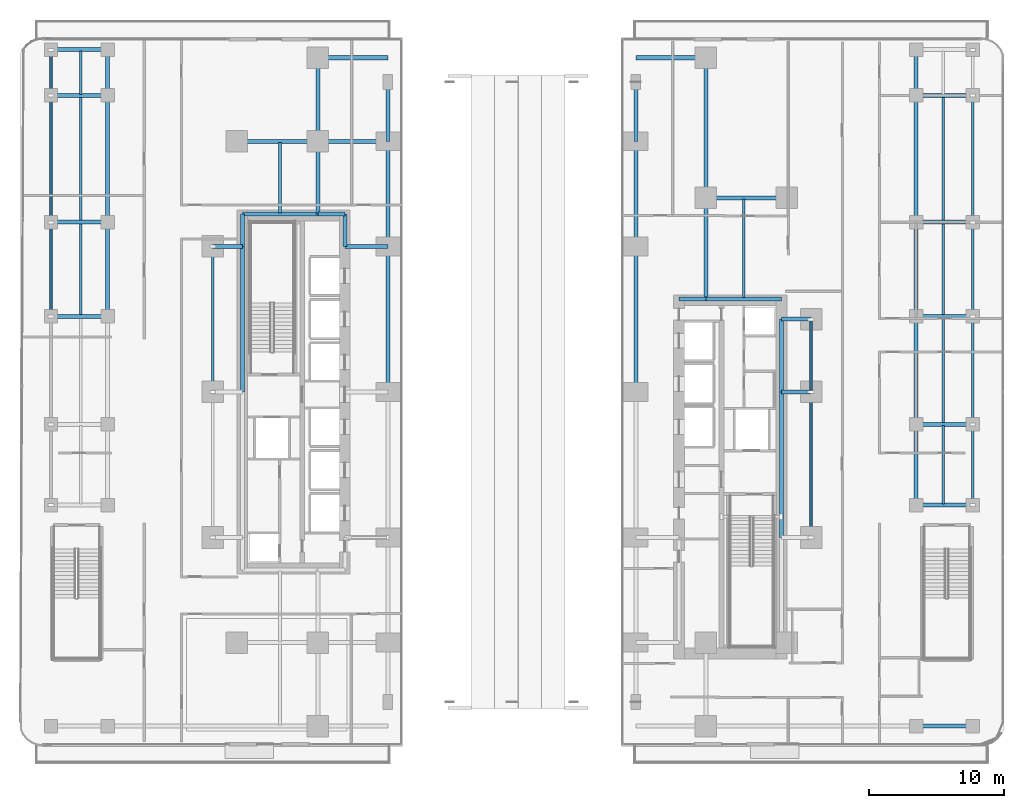
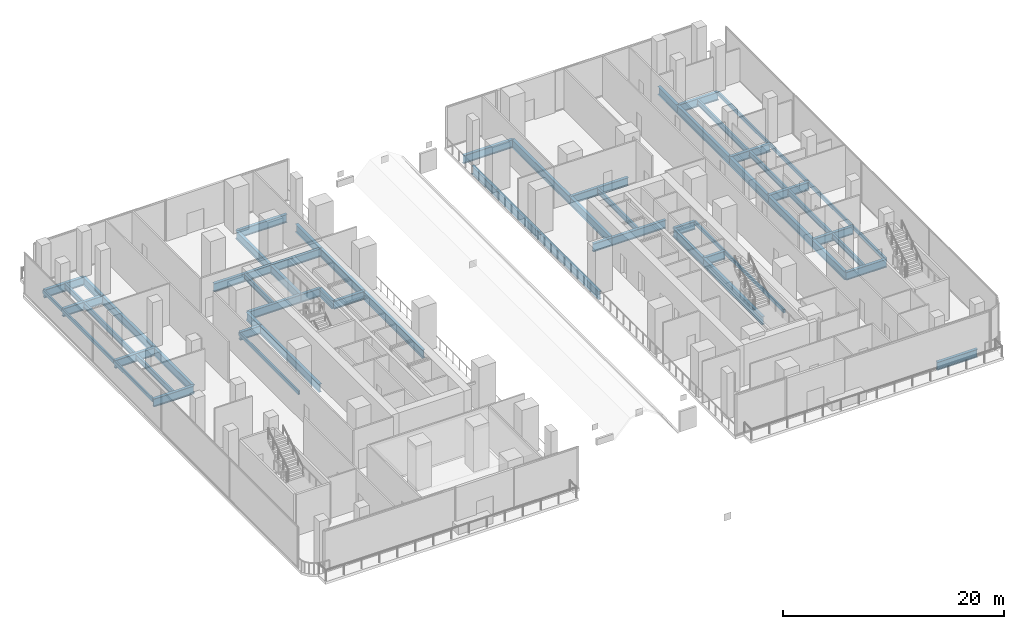
# One storey, part 2 of 32: 65 beams.
"""IFC4 building model written with IfcOpenShell, lengths in metres."""

import ifcopenshell
import ifcopenshell.guid

model = None  # the IFC model being written
_history = None  # IfcOwnerHistory: only IFC2X3 demands one
_inside = {}  # id of a spatial element -> (the spatial element, [elements in it])
_under = {}  # id of a project, library or spatial element -> (it, [spatial elements below it])
_declared = {}  # id of a project -> (the project, [libraries it declares])
_typed = {}  # id of a type object -> (the type object, [elements of that type])
_made_of = {}  # id of a material, layer set ... -> (it, [elements and type objects made of it])


def new_model(schema):
    """Start an empty IFC model of exactly this schema.

    Asked for "IFC4X3", IfcOpenShell would pick the latest addendum, in which some entities
    have other attributes; the version numbers below select the first issue.
    IFC2X3 requires an IfcOwnerHistory on every rooted entity: one is made here for all.
    """
    global model, _history
    if schema == "IFC4X3":
        model = ifcopenshell.file(schema_version=(4, 3, 0, 0))
    else:
        model = ifcopenshell.file(schema=schema)
    _inside.clear()
    _under.clear()
    _declared.clear()
    _typed.clear()
    _made_of.clear()
    _history = None
    if model.schema == "IFC2X3":
        org = make("IfcOrganization", Name="unknown")
        user = make(
            "IfcPersonAndOrganization",
            ThePerson=make("IfcPerson", FamilyName="unknown"),
            TheOrganization=org,
        )
        app = make(
            "IfcApplication",
            ApplicationDeveloper=org,
            Version="unknown",
            ApplicationFullName="unknown",
            ApplicationIdentifier="unknown",
        )
        _history = make(
            "IfcOwnerHistory",
            OwningUser=user,
            OwningApplication=app,
            ChangeAction="ADDED",
            CreationDate=0,
        )
    return model


def make(cls, **values):
    """One entity of the class cls with the attributes given. An attribute that is None is left unset."""
    return model.create_entity(
        cls, **{name: value for name, value in values.items() if value is not None}
    )


def rooted(cls, **values):
    """An entity with a GlobalId (a new one), such as an element, a storey or a relation."""
    return make(cls, GlobalId=ifcopenshell.guid.new(), OwnerHistory=_history, **values)


def si_unit(unit_type, name, prefix=None):
    """IfcSIUnit, for example si_unit("LENGTHUNIT", "METRE", prefix="MILLI")."""
    return make("IfcSIUnit", UnitType=unit_type, Prefix=prefix, Name=name)


def assignment(units):
    """IfcUnitAssignment: the units of a project."""
    return None if units is None else make("IfcUnitAssignment", Units=units)


def point(xyz):
    """IfcCartesianPoint."""
    return None if xyz is None else make("IfcCartesianPoint", Coordinates=xyz)


def direction(xyz):
    """IfcDirection."""
    return None if xyz is None else make("IfcDirection", DirectionRatios=xyz)


def frame(location, z_axis=None, x_axis=None):
    """IfcAxis2Placement3D, a coordinate frame: its origin and axes. An axis left out is left unset."""
    return make(
        "IfcAxis2Placement3D",
        Location=point(location),
        Axis=direction(z_axis),
        RefDirection=direction(x_axis),
    )


def frame_2d(location, x_axis=None):
    """IfcAxis2Placement2D, a coordinate frame in the plane: its origin and x axis."""
    return make(
        "IfcAxis2Placement2D", Location=point(location), RefDirection=direction(x_axis)
    )


def origin():
    """The frame at (0, 0, 0) with its axes left unset."""
    return frame((0.0, 0.0, 0.0))


def origin_2d():
    """The frame at (0, 0) in the plane with its x axis left unset."""
    return frame_2d((0.0, 0.0))


def place(relative_to, where):
    """IfcLocalPlacement: puts the frame where relative to a parent placement (None: the world)."""
    return make(
        "IfcLocalPlacement", PlacementRelTo=relative_to, RelativePlacement=where
    )


def context(
    kind, dimensions, precision=None, world=None, true_north=None, identifier=None
):
    """IfcGeometricRepresentationContext, for example the 3D "Model" context."""
    return make(
        "IfcGeometricRepresentationContext",
        ContextIdentifier=identifier,
        ContextType=kind,
        CoordinateSpaceDimension=dimensions,
        Precision=precision,
        WorldCoordinateSystem=world,
        TrueNorth=true_north,
    )


def subcontext(parent, identifier, kind, view, scale=None):
    """IfcGeometricRepresentationSubContext, for example "Body" below "Model"."""
    return make(
        "IfcGeometricRepresentationSubContext",
        ContextIdentifier=identifier,
        ContextType=kind,
        ParentContext=parent,
        TargetScale=scale,
        TargetView=view,
    )


def project(units=None, contexts=None):
    """IfcProject with its units and contexts."""
    return rooted(
        "IfcProject",
        Name="project",
        RepresentationContexts=contexts,
        UnitsInContext=assignment(units),
    )


def spatial(cls, under=None, at=None, **own):
    """A site, building, storey or space (cls), placed at a placement, below another one or the project."""
    s = rooted(cls, ObjectPlacement=at, **own)
    if under is not None:
        _under.setdefault(under.id(), (under, []))[1].append(s)
    return s


def profile(cls, at=None, kind="AREA", **sizes):
    """A parametric profile (cls). Its sizes go by their IFC names, for example OverallWidth=200.0."""
    return make(cls, ProfileType=kind, Position=at, **sizes)


def hollow_rectangle(**sizes):
    """IfcRectangleHollowProfileDef."""
    return profile("IfcRectangleHollowProfileDef", **sizes)


def i_section(**sizes):
    """IfcIShapeProfileDef."""
    return profile("IfcIShapeProfileDef", **sizes)


def extrude(swept, where, along, depth):
    """IfcExtrudedAreaSolid: the profile swept, set in the frame where, extruded along a direction by depth."""
    return make(
        "IfcExtrudedAreaSolid",
        SweptArea=swept,
        Position=where,
        ExtrudedDirection=direction(along),
        Depth=depth,
    )


def shape(context_of_items, identifier, shape_type, items):
    """IfcShapeRepresentation: the items that make up one representation, for example the "Body"."""
    return make(
        "IfcShapeRepresentation",
        ContextOfItems=context_of_items,
        RepresentationIdentifier=identifier,
        RepresentationType=shape_type,
        Items=items,
    )


def material(Name=None, Category=None):
    """IfcMaterial."""
    return make("IfcMaterial", Name=Name, Category=Category)


def material_profile(
    of_material, cross_section, Name=None, Category=None, Priority=None
):
    """IfcMaterialProfile: a cross section and its material."""
    return make(
        "IfcMaterialProfile",
        Name=Name,
        Material=of_material,
        Profile=cross_section,
        Priority=Priority,
        Category=Category,
    )


def profile_set(profiles, Name=None, composite=None):
    """IfcMaterialProfileSet."""
    return make(
        "IfcMaterialProfileSet",
        Name=Name,
        MaterialProfiles=profiles,
        CompositeProfile=composite,
    )


def made_of(thing, what):
    """Note that an element or type object is made of a material, layer set ...; save() writes the relation."""
    if what is not None:
        _made_of.setdefault(what.id(), (what, []))[1].append(thing)
    return thing


def type_object(cls, material=None, **own):
    """A type object (cls), such as IfcWallType, which elements share."""
    return made_of(rooted(cls, **own), material)


def element(
    cls,
    number,
    at=None,
    inside=None,
    cuts=None,
    type_object=None,
    material=None,
    context=None,
    identifier="Body",
    shape_type=None,
    held_by="IfcProductDefinitionShape",
    body=None,
    shapes=None,
    **own,
):
    """One element of the class cls, such as IfcWall. Its Tag is "e" and its number.

    at: its placement. inside: the storey or other place that contains it. cuts: it is an
    opening in that element (IfcRelVoidsElement). A single representation is given by context,
    identifier, shape_type and body (its items); several are given by shapes. held_by: the class
    of the entity that holds the representations. save() writes the other relations.
    """
    e = rooted(cls, Tag="e%d" % number, ObjectPlacement=at, **own)
    if body is not None:
        shapes = [shape(context, identifier, shape_type, body)]
    if shapes is not None:
        e.Representation = make(held_by, Representations=shapes)
    if inside is not None:
        _inside.setdefault(inside.id(), (inside, []))[1].append(e)
    if cuts is not None:
        rooted(
            "IfcRelVoidsElement", RelatingBuildingElement=cuts, RelatedOpeningElement=e
        )
    if type_object is not None:
        _typed.setdefault(type_object.id(), (type_object, []))[1].append(e)
    return made_of(e, material)


def aggregate(whole, parts):
    """IfcRelAggregates: a whole, such as a stair, and the parts it consists of."""
    return rooted("IfcRelAggregates", RelatingObject=whole, RelatedObjects=parts)


def save(model, path):
    """Write the relations noted so far, then the file.

    IfcRelAggregates (storeys below a building ...), IfcRelContainedInSpatialStructure (elements
    in a storey), IfcRelDefinesByType, IfcRelAssociatesMaterial and IfcRelDeclares: one each for
    every whole, place, type object, material and project.
    """
    for whole, parts in _under.values():
        aggregate(whole, parts)
    for where, things in _inside.values():
        rooted(
            "IfcRelContainedInSpatialStructure",
            RelatedElements=things,
            RelatingStructure=where,
        )
    for kind, things in _typed.values():
        rooted("IfcRelDefinesByType", RelatedObjects=things, RelatingType=kind)
    for what, things in _made_of.values():
        rooted("IfcRelAssociatesMaterial", RelatedObjects=things, RelatingMaterial=what)
    for by, libraries in _declared.values():
        rooted("IfcRelDeclares", RelatingContext=by, RelatedDefinitions=libraries)
    model.write(path)


model = new_model("IFC4")

# Units and contexts
model_context = context("Model", 3, precision=1e-05, world=origin(), true_north=direction((0.0, 1.0)))
body_context = subcontext(model_context, "Body", "Model", "MODEL_VIEW")
ifc_project = project(units=[si_unit("LENGTHUNIT", "METRE"), si_unit("AREAUNIT", "SQUARE_METRE"), si_unit("VOLUMEUNIT", "CUBIC_METRE"), si_unit("PLANEANGLEUNIT", "RADIAN"), si_unit("MASSUNIT", "GRAM", prefix="KILO")], contexts=[model_context])

# Site, building, storey
site_placement = place(None, origin())
site = spatial("IfcSite", under=ifc_project, at=site_placement, CompositionType="ELEMENT")
building_placement = place(site_placement, origin())
building = spatial("IfcBuilding", under=site, at=building_placement, Name="Khairoan Windgate Tower", CompositionType="ELEMENT")
storey_placement = place(building_placement, frame((0.0, 0.0, 16.0)))
storey = spatial("IfcBuildingStorey", under=building, at=storey_placement, Name="L04", CompositionType="ELEMENT", Elevation=16.0)

# Beams
ifc_material_1 = material(Name="Steel S355", Category="steel")
ifc_material_profile_1 = material_profile(ifc_material_1, i_section(OverallWidth=0.300048828125, OverallDepth=0.89990234375, WebThickness=0.01611328125, FlangeThickness=0.028076171875, FilletRadius=0.028076171875, at=origin_2d()))
ifc_profile_set_1 = profile_set([ifc_material_profile_1], Name="Steel S355")
beam_type_1 = type_object("IfcBeamType", Name="Beam B-G1 H900x300x16x28", PredefinedType="BEAM", material=ifc_profile_set_1)
for number, where, z_axis, x_axis, name in (
    (1, (30.0, -24.800048828125, -0.75), (1.0, 0.0, 0.0), (0.0, 1.0, 0.0), "L04 E-W Primary Girder 06"),
    (2, (30.0, -8.39990234375, -0.75), (1.0, 0.0, 0.0), (0.0, 1.0, 0.0), "L04 E-W Primary Girder 17"),
    (3, (30.0, -2.39990234375, -0.75), (1.0, 0.0, 0.0), (0.0, 1.0, 0.0), "L04 E-W Primary Girder 19"),
):
    element("IfcBeam", number, at=place(storey_placement, frame(where, z_axis=z_axis, x_axis=x_axis)), inside=storey, type_object=beam_type_1, Name=name, PredefinedType="BEAM", context=body_context, shape_type="SweptSolid", body=[
        extrude(i_section(OverallWidth=0.300048828125, OverallDepth=0.89990234375, WebThickness=0.01611328125, FlangeThickness=0.028076171875, FilletRadius=0.028076171875, at=origin_2d()), origin(), (0.0, 0.0, 1.0), 4.199951171875),
    ])
for number, where, z_axis, x_axis, name in (
    (4, (20.0, 0.0, -0.75), (1.0, 0.0, 0.0), (0.0, 1.0, 0.0), "L04 E-W Primary Girder 22"),
    (5, (20.0, 5.39990234375, -0.75), (1.0, 0.0, 0.0), (0.0, 1.0, 0.0), "L04 E-W Primary Girder 23"),
):
    element("IfcBeam", number, at=place(storey_placement, frame(where, z_axis=z_axis, x_axis=x_axis)), inside=storey, type_object=beam_type_1, Name=name, PredefinedType="BEAM", context=body_context, shape_type="SweptSolid", body=[
        extrude(i_section(OverallWidth=0.300048828125, OverallDepth=0.89990234375, WebThickness=0.01611328125, FlangeThickness=0.028076171875, FilletRadius=0.028076171875, at=origin_2d()), origin(), (0.0, 0.0, 1.0), 2.199951171875),
    ])
for number, where, z_axis, x_axis, name in (
    (6, (-34.199951171875, 5.60009765625, -0.75), (1.0, 0.0, 0.0), (0.0, 1.0, 0.0), "L04 E-W Primary Girder 24"),
    (7, (30.0, 5.60009765625, -0.75), (1.0, 0.0, 0.0), (0.0, 1.0, 0.0), "L04 E-W Primary Girder 25"),
):
    element("IfcBeam", number, at=place(storey_placement, frame(where, z_axis=z_axis, x_axis=x_axis)), inside=storey, type_object=beam_type_1, Name=name, PredefinedType="BEAM", context=body_context, shape_type="SweptSolid", body=[
        extrude(i_section(OverallWidth=0.300048828125, OverallDepth=0.89990234375, WebThickness=0.01611328125, FlangeThickness=0.028076171875, FilletRadius=0.028076171875, at=origin_2d()), origin(), (0.0, 0.0, 1.0), 4.199951171875),
    ])
beam_1_placement = place(storey_placement, frame((12.39990234375, 6.89990234375, -0.75), z_axis=(1.0, 0.0, 0.0), x_axis=(0.0, 1.0, 0.0)))
element("IfcBeam", 8, at=beam_1_placement, inside=storey, type_object=beam_type_1, Name="L04 E-W Primary Girder 26", PredefinedType="BEAM", context=body_context, shape_type="SweptSolid", body=[
    extrude(i_section(OverallWidth=0.300048828125, OverallDepth=0.89990234375, WebThickness=0.01611328125, FlangeThickness=0.028076171875, FilletRadius=0.028076171875, at=origin_2d()), origin(), (0.0, 0.0, 1.0), 2.0),
])
beam_2_placement = place(storey_placement, frame((14.39990234375, 6.89990234375, -0.75), z_axis=(1.0, 0.0, 0.0), x_axis=(0.0, 1.0, 0.0)))
element("IfcBeam", 9, at=beam_2_placement, inside=storey, type_object=beam_type_1, Name="L04 E-W Primary Girder 27", PredefinedType="BEAM", context=body_context, shape_type="SweptSolid", body=[
    extrude(i_section(OverallWidth=0.300048828125, OverallDepth=0.89990234375, WebThickness=0.01611328125, FlangeThickness=0.028076171875, FilletRadius=0.028076171875, at=origin_2d()), origin(), (0.0, 0.0, 1.0), 5.60009765625),
])
beam_3_placement = place(storey_placement, frame((-22.199951171875, 10.800048828125, -0.75), z_axis=(1.0, 0.0, 0.0), x_axis=(0.0, 1.0, 0.0)))
element("IfcBeam", 10, at=beam_3_placement, inside=storey, type_object=beam_type_1, Name="L04 E-W Primary Girder 28", PredefinedType="BEAM", context=body_context, shape_type="SweptSolid", body=[
    extrude(i_section(OverallWidth=0.300048828125, OverallDepth=0.89990234375, WebThickness=0.01611328125, FlangeThickness=0.028076171875, FilletRadius=0.028076171875, at=origin_2d()), origin(), (0.0, 0.0, 1.0), 2.199951171875),
])
beam_4_placement = place(storey_placement, frame((-12.39990234375, 10.800048828125, -0.75), z_axis=(1.0, 0.0, 0.0), x_axis=(0.0, 1.0, 0.0)))
element("IfcBeam", 11, at=beam_4_placement, inside=storey, type_object=beam_type_1, Name="L04 E-W Primary Girder 29", PredefinedType="BEAM", context=body_context, shape_type="SweptSolid", body=[
    extrude(i_section(OverallWidth=0.300048828125, OverallDepth=0.89990234375, WebThickness=0.01611328125, FlangeThickness=0.028076171875, FilletRadius=0.028076171875, at=origin_2d()), origin(), (0.0, 0.0, 1.0), 3.199951171875),
])
for number, where, z_axis, x_axis, name in (
    (12, (-34.199951171875, 12.60009765625, -0.75), (1.0, 0.0, 0.0), (0.0, 1.0, 0.0), "L04 E-W Primary Girder 30"),
    (13, (30.0, 12.60009765625, -0.75), (1.0, 0.0, 0.0), (0.0, 1.0, 0.0), "L04 E-W Primary Girder 31"),
):
    element("IfcBeam", number, at=place(storey_placement, frame(where, z_axis=z_axis, x_axis=x_axis)), inside=storey, type_object=beam_type_1, Name=name, PredefinedType="BEAM", context=body_context, shape_type="SweptSolid", body=[
        extrude(i_section(OverallWidth=0.300048828125, OverallDepth=0.89990234375, WebThickness=0.01611328125, FlangeThickness=0.028076171875, FilletRadius=0.028076171875, at=origin_2d()), origin(), (0.0, 0.0, 1.0), 4.199951171875),
    ])
beam_5_placement = place(storey_placement, frame((-20.0, 13.199951171875, -0.75), z_axis=(1.0, 0.0, 0.0), x_axis=(0.0, 1.0, 0.0)))
element("IfcBeam", 14, at=beam_5_placement, inside=storey, type_object=beam_type_1, Name="L04 E-W Primary Girder 32", PredefinedType="BEAM", context=body_context, shape_type="SweptSolid", body=[
    extrude(i_section(OverallWidth=0.300048828125, OverallDepth=0.89990234375, WebThickness=0.01611328125, FlangeThickness=0.028076171875, FilletRadius=0.028076171875, at=origin_2d()), origin(), (0.0, 0.0, 1.0), 5.60009765625),
])
beam_6_placement = place(storey_placement, frame((-14.39990234375, 13.199951171875, -0.75), z_axis=(1.0, 0.0, 0.0), x_axis=(0.0, 1.0, 0.0)))
element("IfcBeam", 15, at=beam_6_placement, inside=storey, type_object=beam_type_1, Name="L04 E-W Primary Girder 33", PredefinedType="BEAM", context=body_context, shape_type="SweptSolid", body=[
    extrude(i_section(OverallWidth=0.300048828125, OverallDepth=0.89990234375, WebThickness=0.01611328125, FlangeThickness=0.028076171875, FilletRadius=0.028076171875, at=origin_2d()), origin(), (0.0, 0.0, 1.0), 2.0),
])
for number, where, z_axis, x_axis, name in (
    (16, (14.39990234375, 14.39990234375, -0.75), (1.0, 0.0, 0.0), (0.0, 1.0, 0.0), "L04 E-W Primary Girder 34"),
    (17, (-20.39990234375, 18.60009765625, -0.75), (1.0, 0.0, 0.0), (0.0, 1.0, 0.0), "L04 E-W Primary Girder 35"),
):
    element("IfcBeam", number, at=place(storey_placement, frame(where, z_axis=z_axis, x_axis=x_axis)), inside=storey, type_object=beam_type_1, Name=name, PredefinedType="BEAM", context=body_context, shape_type="SweptSolid", body=[
        extrude(i_section(OverallWidth=0.300048828125, OverallDepth=0.89990234375, WebThickness=0.01611328125, FlangeThickness=0.028076171875, FilletRadius=0.028076171875, at=origin_2d()), origin(), (0.0, 0.0, 1.0), 6.0),
    ])
beam_7_placement = place(storey_placement, frame((-14.39990234375, 18.60009765625, -0.75), z_axis=(1.0, 0.0, 0.0), x_axis=(0.0, 1.0, 0.0)))
element("IfcBeam", 18, at=beam_7_placement, inside=storey, type_object=beam_type_1, Name="L04 E-W Primary Girder 36", PredefinedType="BEAM", context=body_context, shape_type="SweptSolid", body=[
    extrude(i_section(OverallWidth=0.300048828125, OverallDepth=0.89990234375, WebThickness=0.01611328125, FlangeThickness=0.028076171875, FilletRadius=0.028076171875, at=origin_2d()), origin(), (0.0, 0.0, 1.0), 5.199951171875),
])
for number, where, z_axis, x_axis, name in (
    (19, (-34.199951171875, 22.0, -0.75), (1.0, 0.0, 0.0), (0.0, 1.0, 0.0), "L04 E-W Primary Girder 37"),
    (20, (30.0, 22.0, -0.75), (1.0, 0.0, 0.0), (0.0, 1.0, 0.0), "L04 E-W Primary Girder 38"),
):
    element("IfcBeam", number, at=place(storey_placement, frame(where, z_axis=z_axis, x_axis=x_axis)), inside=storey, type_object=beam_type_1, Name=name, PredefinedType="BEAM", context=body_context, shape_type="SweptSolid", body=[
        extrude(i_section(OverallWidth=0.300048828125, OverallDepth=0.89990234375, WebThickness=0.01611328125, FlangeThickness=0.028076171875, FilletRadius=0.028076171875, at=origin_2d()), origin(), (0.0, 0.0, 1.0), 4.199951171875),
    ])
for number, where, z_axis, x_axis, name in (
    (21, (-14.39990234375, 24.800048828125, -0.75), (1.0, 0.0, 0.0), (0.0, 1.0, 0.0), "L04 E-W Primary Girder 39"),
    (22, (9.199951171875, 24.800048828125, -0.75), (1.0, 0.0, 0.0), (0.0, 1.0, 0.0), "L04 E-W Primary Girder 40"),
):
    element("IfcBeam", number, at=place(storey_placement, frame(where, z_axis=z_axis, x_axis=x_axis)), inside=storey, type_object=beam_type_1, Name=name, PredefinedType="BEAM", context=body_context, shape_type="SweptSolid", body=[
        extrude(i_section(OverallWidth=0.300048828125, OverallDepth=0.89990234375, WebThickness=0.01611328125, FlangeThickness=0.028076171875, FilletRadius=0.028076171875, at=origin_2d()), origin(), (0.0, 0.0, 1.0), 5.199951171875),
    ])
beam_8_placement = place(storey_placement, frame((-34.199951171875, 25.39990234375, -0.75), z_axis=(1.0, 0.0, 0.0), x_axis=(0.0, 1.0, 0.0)))
element("IfcBeam", 23, at=beam_8_placement, inside=storey, type_object=beam_type_1, Name="L04 E-W Primary Girder 41", PredefinedType="BEAM", context=body_context, shape_type="SweptSolid", body=[
    extrude(i_section(OverallWidth=0.300048828125, OverallDepth=0.89990234375, WebThickness=0.01611328125, FlangeThickness=0.028076171875, FilletRadius=0.028076171875, at=origin_2d()), origin(), (0.0, 0.0, 1.0), 4.199951171875),
])
beam_9_placement = place(storey_placement, frame((-30.0, 5.60009765625, -0.75), z_axis=(0.0, 1.0, 0.0), x_axis=(-1.0, 0.0, 0.0)))
element("IfcBeam", 24, at=beam_9_placement, inside=storey, type_object=beam_type_1, Name="L04 N-S Primary Beam 50", PredefinedType="BEAM", context=body_context, shape_type="SweptSolid", body=[
    extrude(i_section(OverallWidth=0.300048828125, OverallDepth=0.89990234375, WebThickness=0.01611328125, FlangeThickness=0.028076171875, FilletRadius=0.028076171875, at=origin_2d()), origin(), (0.0, 0.0, 1.0), 7.0),
])
beam_10_placement = place(storey_placement, frame((-30.0, 12.60009765625, -0.75), z_axis=(0.0, 1.0, 0.0), x_axis=(-1.0, 0.0, 0.0)))
element("IfcBeam", 25, at=beam_10_placement, inside=storey, type_object=beam_type_1, Name="L04 N-S Primary Beam 51", PredefinedType="BEAM", context=body_context, shape_type="SweptSolid", body=[
    extrude(i_section(OverallWidth=0.300048828125, OverallDepth=0.89990234375, WebThickness=0.01611328125, FlangeThickness=0.028076171875, FilletRadius=0.028076171875, at=origin_2d()), origin(), (0.0, 0.0, 1.0), 9.39990234375),
])
beam_11_placement = place(storey_placement, frame((-30.0, 22.0, -0.75), z_axis=(0.0, 1.0, 0.0), x_axis=(-1.0, 0.0, 0.0)))
element("IfcBeam", 26, at=beam_11_placement, inside=storey, type_object=beam_type_1, Name="L04 N-S Primary Beam 52", PredefinedType="BEAM", context=body_context, shape_type="SweptSolid", body=[
    extrude(i_section(OverallWidth=0.300048828125, OverallDepth=0.89990234375, WebThickness=0.01611328125, FlangeThickness=0.028076171875, FilletRadius=0.028076171875, at=origin_2d()), origin(), (0.0, 0.0, 1.0), 3.39990234375),
])
beam_12_placement = place(storey_placement, frame((-20.0, 0.0, -0.75), z_axis=(0.0, 1.0, 0.0), x_axis=(-1.0, 0.0, 0.0)))
element("IfcBeam", 27, at=beam_12_placement, inside=storey, type_object=beam_type_1, Name="L04 N-S Primary Beam 57", PredefinedType="BEAM", context=body_context, shape_type="SweptSolid", body=[
    extrude(i_section(OverallWidth=0.300048828125, OverallDepth=0.89990234375, WebThickness=0.01611328125, FlangeThickness=0.028076171875, FilletRadius=0.028076171875, at=origin_2d()), origin(), (0.0, 0.0, 1.0), 10.800048828125),
])
beam_13_placement = place(storey_placement, frame((-20.0, 10.800048828125, -0.75), z_axis=(0.0, 1.0, 0.0), x_axis=(-1.0, 0.0, 0.0)))
element("IfcBeam", 28, at=beam_13_placement, inside=storey, type_object=beam_type_1, Name="L04 N-S Primary Beam 58", PredefinedType="BEAM", context=body_context, shape_type="SweptSolid", body=[
    extrude(i_section(OverallWidth=0.300048828125, OverallDepth=0.89990234375, WebThickness=0.01611328125, FlangeThickness=0.028076171875, FilletRadius=0.028076171875, at=origin_2d()), origin(), (0.0, 0.0, 1.0), 2.39990234375),
])
beam_14_placement = place(storey_placement, frame((-14.39990234375, 13.199951171875, -0.75), z_axis=(0.0, 1.0, 0.0), x_axis=(-1.0, 0.0, 0.0)))
element("IfcBeam", 29, at=beam_14_placement, inside=storey, type_object=beam_type_1, Name="L04 N-S Primary Beam 61", PredefinedType="BEAM", context=body_context, shape_type="SweptSolid", body=[
    extrude(i_section(OverallWidth=0.300048828125, OverallDepth=0.89990234375, WebThickness=0.01611328125, FlangeThickness=0.028076171875, FilletRadius=0.028076171875, at=origin_2d()), origin(), (0.0, 0.0, 1.0), 5.400146484375),
])
beam_15_placement = place(storey_placement, frame((-14.39990234375, 18.60009765625, -0.75), z_axis=(0.0, 1.0, 0.0), x_axis=(-1.0, 0.0, 0.0)))
element("IfcBeam", 30, at=beam_15_placement, inside=storey, type_object=beam_type_1, Name="L04 N-S Primary Beam 62", PredefinedType="BEAM", context=body_context, shape_type="SweptSolid", body=[
    extrude(i_section(OverallWidth=0.300048828125, OverallDepth=0.89990234375, WebThickness=0.01611328125, FlangeThickness=0.028076171875, FilletRadius=0.028076171875, at=origin_2d()), origin(), (0.0, 0.0, 1.0), 6.199951171875),
])
beam_16_placement = place(storey_placement, frame((-12.39990234375, 10.800048828125, -0.75), z_axis=(0.0, 1.0, 0.0), x_axis=(-1.0, 0.0, 0.0)))
element("IfcBeam", 31, at=beam_16_placement, inside=storey, type_object=beam_type_1, Name="L04 N-S Primary Beam 64", PredefinedType="BEAM", context=body_context, shape_type="SweptSolid", body=[
    extrude(i_section(OverallWidth=0.300048828125, OverallDepth=0.89990234375, WebThickness=0.01611328125, FlangeThickness=0.028076171875, FilletRadius=0.028076171875, at=origin_2d()), origin(), (0.0, 0.0, 1.0), 2.39990234375),
])
beam_17_placement = place(storey_placement, frame((-9.199951171875, 0.0, -0.75), z_axis=(0.0, 1.0, 0.0), x_axis=(-1.0, 0.0, 0.0)))
element("IfcBeam", 32, at=beam_17_placement, inside=storey, type_object=beam_type_1, Name="L04 N-S Primary Beam 68", PredefinedType="BEAM", context=body_context, shape_type="SweptSolid", body=[
    extrude(i_section(OverallWidth=0.300048828125, OverallDepth=0.89990234375, WebThickness=0.01611328125, FlangeThickness=0.028076171875, FilletRadius=0.028076171875, at=origin_2d()), origin(), (0.0, 0.0, 1.0), 10.800048828125),
])
beam_18_placement = place(storey_placement, frame((-9.199951171875, 10.800048828125, -0.75), z_axis=(0.0, 1.0, 0.0), x_axis=(-1.0, 0.0, 0.0)))
element("IfcBeam", 33, at=beam_18_placement, inside=storey, type_object=beam_type_1, Name="L04 N-S Primary Beam 69", PredefinedType="BEAM", context=body_context, shape_type="SweptSolid", body=[
    extrude(i_section(OverallWidth=0.300048828125, OverallDepth=0.89990234375, WebThickness=0.01611328125, FlangeThickness=0.028076171875, FilletRadius=0.028076171875, at=origin_2d()), origin(), (0.0, 0.0, 1.0), 7.800048828125),
])
beam_19_placement = place(storey_placement, frame((-9.199951171875, 18.60009765625, -0.75), z_axis=(0.0, 1.0, 0.0), x_axis=(-1.0, 0.0, 0.0)))
element("IfcBeam", 34, at=beam_19_placement, inside=storey, type_object=beam_type_1, Name="L04 N-S Primary Beam 70", PredefinedType="BEAM", context=body_context, shape_type="SweptSolid", body=[
    extrude(i_section(OverallWidth=0.300048828125, OverallDepth=0.89990234375, WebThickness=0.01611328125, FlangeThickness=0.028076171875, FilletRadius=0.028076171875, at=origin_2d()), origin(), (0.0, 0.0, 1.0), 4.39990234375),
])
beam_20_placement = place(storey_placement, frame((9.199951171875, 0.0, -0.75), z_axis=(0.0, 1.0, 0.0), x_axis=(-1.0, 0.0, 0.0)))
element("IfcBeam", 35, at=beam_20_placement, inside=storey, type_object=beam_type_1, Name="L04 N-S Primary Beam 74", PredefinedType="BEAM", context=body_context, shape_type="SweptSolid", body=[
    extrude(i_section(OverallWidth=0.300048828125, OverallDepth=0.89990234375, WebThickness=0.01611328125, FlangeThickness=0.028076171875, FilletRadius=0.028076171875, at=origin_2d()), origin(), (0.0, 0.0, 1.0), 10.800048828125),
])
beam_21_placement = place(storey_placement, frame((9.199951171875, 10.800048828125, -0.75), z_axis=(0.0, 1.0, 0.0), x_axis=(-1.0, 0.0, 0.0)))
element("IfcBeam", 36, at=beam_21_placement, inside=storey, type_object=beam_type_1, Name="L04 N-S Primary Beam 75", PredefinedType="BEAM", context=body_context, shape_type="SweptSolid", body=[
    extrude(i_section(OverallWidth=0.300048828125, OverallDepth=0.89990234375, WebThickness=0.01611328125, FlangeThickness=0.028076171875, FilletRadius=0.028076171875, at=origin_2d()), origin(), (0.0, 0.0, 1.0), 7.800048828125),
])
beam_22_placement = place(storey_placement, frame((9.199951171875, 18.60009765625, -0.75), z_axis=(0.0, 1.0, 0.0), x_axis=(-1.0, 0.0, 0.0)))
element("IfcBeam", 37, at=beam_22_placement, inside=storey, type_object=beam_type_1, Name="L04 N-S Primary Beam 76", PredefinedType="BEAM", context=body_context, shape_type="SweptSolid", body=[
    extrude(i_section(OverallWidth=0.300048828125, OverallDepth=0.89990234375, WebThickness=0.01611328125, FlangeThickness=0.028076171875, FilletRadius=0.028076171875, at=origin_2d()), origin(), (0.0, 0.0, 1.0), 4.39990234375),
])
beam_23_placement = place(storey_placement, frame((14.39990234375, 6.89990234375, -0.75), z_axis=(0.0, 1.0, 0.0), x_axis=(-1.0, 0.0, 0.0)))
element("IfcBeam", 38, at=beam_23_placement, inside=storey, type_object=beam_type_1, Name="L04 N-S Primary Beam 79", PredefinedType="BEAM", context=body_context, shape_type="SweptSolid", body=[
    extrude(i_section(OverallWidth=0.300048828125, OverallDepth=0.89990234375, WebThickness=0.01611328125, FlangeThickness=0.028076171875, FilletRadius=0.028076171875, at=origin_2d()), origin(), (0.0, 0.0, 1.0), 7.5),
])
beam_24_placement = place(storey_placement, frame((14.39990234375, 14.39990234375, -0.75), z_axis=(0.0, 1.0, 0.0), x_axis=(-1.0, 0.0, 0.0)))
element("IfcBeam", 39, at=beam_24_placement, inside=storey, type_object=beam_type_1, Name="L04 N-S Primary Beam 80", PredefinedType="BEAM", context=body_context, shape_type="SweptSolid", body=[
    extrude(i_section(OverallWidth=0.300048828125, OverallDepth=0.89990234375, WebThickness=0.01611328125, FlangeThickness=0.028076171875, FilletRadius=0.028076171875, at=origin_2d()), origin(), (0.0, 0.0, 1.0), 10.400146484375),
])
beam_25_placement = place(storey_placement, frame((20.0, -10.800048828125, -0.75), z_axis=(0.0, 1.0, 0.0), x_axis=(-1.0, 0.0, 0.0)))
element("IfcBeam", 40, at=beam_25_placement, inside=storey, type_object=beam_type_1, Name="L04 N-S Primary Beam 82", PredefinedType="BEAM", context=body_context, shape_type="SweptSolid", body=[
    extrude(i_section(OverallWidth=0.300048828125, OverallDepth=0.89990234375, WebThickness=0.01611328125, FlangeThickness=0.028076171875, FilletRadius=0.028076171875, at=origin_2d()), origin(), (0.0, 0.0, 1.0), 10.800048828125),
])
beam_26_placement = place(storey_placement, frame((20.0, 0.0, -0.75), z_axis=(0.0, 1.0, 0.0), x_axis=(-1.0, 0.0, 0.0)))
element("IfcBeam", 41, at=beam_26_placement, inside=storey, type_object=beam_type_1, Name="L04 N-S Primary Beam 83", PredefinedType="BEAM", context=body_context, shape_type="SweptSolid", body=[
    extrude(i_section(OverallWidth=0.300048828125, OverallDepth=0.89990234375, WebThickness=0.01611328125, FlangeThickness=0.028076171875, FilletRadius=0.028076171875, at=origin_2d()), origin(), (0.0, 0.0, 1.0), 5.39990234375),
])
beam_27_placement = place(storey_placement, frame((30.0, -8.39990234375, -0.75), z_axis=(0.0, 1.0, 0.0), x_axis=(-1.0, 0.0, 0.0)))
element("IfcBeam", 42, at=beam_27_placement, inside=storey, type_object=beam_type_1, Name="L04 N-S Primary Beam 86", PredefinedType="BEAM", context=body_context, shape_type="SweptSolid", body=[
    extrude(i_section(OverallWidth=0.300048828125, OverallDepth=0.89990234375, WebThickness=0.01611328125, FlangeThickness=0.028076171875, FilletRadius=0.028076171875, at=origin_2d()), origin(), (0.0, 0.0, 1.0), 6.0),
])
beam_28_placement = place(storey_placement, frame((30.0, -2.39990234375, -0.75), z_axis=(0.0, 1.0, 0.0), x_axis=(-1.0, 0.0, 0.0)))
element("IfcBeam", 43, at=beam_28_placement, inside=storey, type_object=beam_type_1, Name="L04 N-S Primary Beam 87", PredefinedType="BEAM", context=body_context, shape_type="SweptSolid", body=[
    extrude(i_section(OverallWidth=0.300048828125, OverallDepth=0.89990234375, WebThickness=0.01611328125, FlangeThickness=0.028076171875, FilletRadius=0.028076171875, at=origin_2d()), origin(), (0.0, 0.0, 1.0), 8.0),
])
beam_29_placement = place(storey_placement, frame((30.0, 5.60009765625, -0.75), z_axis=(0.0, 1.0, 0.0), x_axis=(-1.0, 0.0, 0.0)))
element("IfcBeam", 44, at=beam_29_placement, inside=storey, type_object=beam_type_1, Name="L04 N-S Primary Beam 88", PredefinedType="BEAM", context=body_context, shape_type="SweptSolid", body=[
    extrude(i_section(OverallWidth=0.300048828125, OverallDepth=0.89990234375, WebThickness=0.01611328125, FlangeThickness=0.028076171875, FilletRadius=0.028076171875, at=origin_2d()), origin(), (0.0, 0.0, 1.0), 7.0),
])
beam_30_placement = place(storey_placement, frame((30.0, 12.60009765625, -0.75), z_axis=(0.0, 1.0, 0.0), x_axis=(-1.0, 0.0, 0.0)))
element("IfcBeam", 45, at=beam_30_placement, inside=storey, type_object=beam_type_1, Name="L04 N-S Primary Beam 89", PredefinedType="BEAM", context=body_context, shape_type="SweptSolid", body=[
    extrude(i_section(OverallWidth=0.300048828125, OverallDepth=0.89990234375, WebThickness=0.01611328125, FlangeThickness=0.028076171875, FilletRadius=0.028076171875, at=origin_2d()), origin(), (0.0, 0.0, 1.0), 9.39990234375),
])
beam_31_placement = place(storey_placement, frame((30.0, 22.0, -0.75), z_axis=(0.0, 1.0, 0.0), x_axis=(-1.0, 0.0, 0.0)))
element("IfcBeam", 46, at=beam_31_placement, inside=storey, type_object=beam_type_1, Name="L04 N-S Primary Beam 90", PredefinedType="BEAM", context=body_context, shape_type="SweptSolid", body=[
    extrude(i_section(OverallWidth=0.300048828125, OverallDepth=0.89990234375, WebThickness=0.01611328125, FlangeThickness=0.028076171875, FilletRadius=0.028076171875, at=origin_2d()), origin(), (0.0, 0.0, 1.0), 3.39990234375),
])
ifc_material_2 = material(Name="Steel S355", Category="steel")
ifc_material_profile_2 = material_profile(ifc_material_2, i_section(OverallWidth=0.199951171875, OverallDepth=0.60009765625, WebThickness=0.010986328125, FlangeThickness=0.01708984375, FilletRadius=0.02197265625, at=origin_2d()))
ifc_profile_set_2 = profile_set([ifc_material_profile_2], Name="Steel S355")
beam_type_2 = type_object("IfcBeamType", Name="Beam J-S1 H600x200x11x17", PredefinedType="JOIST", material=ifc_profile_set_2)
beam_32_placement = place(storey_placement, frame((-32.0, 5.68994140625, -0.60009765625), z_axis=(0.0, 1.0, 0.0), x_axis=(-1.0, 0.0, 0.0)))
element("IfcBeam", 47, at=beam_32_placement, inside=storey, type_object=beam_type_2, Name="L04 Secondary Floor Joist 03", PredefinedType="JOIST", context=body_context, shape_type="SweptSolid", body=[
    extrude(i_section(OverallWidth=0.199951171875, OverallDepth=0.60009765625, WebThickness=0.010986328125, FlangeThickness=0.01708984375, FilletRadius=0.02197265625, at=origin_2d()), origin(), (0.0, 0.0, 1.0), 6.820068359375),
])
beam_33_placement = place(storey_placement, frame((-32.0, 12.68994140625, -0.60009765625), z_axis=(0.0, 1.0, 0.0), x_axis=(-1.0, 0.0, 0.0)))
element("IfcBeam", 48, at=beam_33_placement, inside=storey, type_object=beam_type_2, Name="L04 Secondary Floor Joist 04", PredefinedType="JOIST", context=body_context, shape_type="SweptSolid", body=[
    extrude(i_section(OverallWidth=0.199951171875, OverallDepth=0.60009765625, WebThickness=0.010986328125, FlangeThickness=0.01708984375, FilletRadius=0.02197265625, at=origin_2d()), origin(), (0.0, 0.0, 1.0), 9.219970703125),
])
beam_34_placement = place(storey_placement, frame((-32.0, 22.090087890625, -0.60009765625), z_axis=(0.0, 1.0, 0.0), x_axis=(-1.0, 0.0, 0.0)))
element("IfcBeam", 49, at=beam_34_placement, inside=storey, type_object=beam_type_2, Name="L04 Secondary Floor Joist 05", PredefinedType="JOIST", context=body_context, shape_type="SweptSolid", body=[
    extrude(i_section(OverallWidth=0.199951171875, OverallDepth=0.60009765625, WebThickness=0.010986328125, FlangeThickness=0.01708984375, FilletRadius=0.02197265625, at=origin_2d()), origin(), (0.0, 0.0, 1.0), 3.219970703125),
])
beam_35_placement = place(storey_placement, frame((-17.199951171875, 13.2900390625, -0.60009765625), z_axis=(0.0, 1.0, 0.0), x_axis=(-1.0, 0.0, 0.0)))
element("IfcBeam", 50, at=beam_35_placement, inside=storey, type_object=beam_type_2, Name="L04 Secondary Floor Joist 08", PredefinedType="JOIST", context=body_context, shape_type="SweptSolid", body=[
    extrude(i_section(OverallWidth=0.199951171875, OverallDepth=0.60009765625, WebThickness=0.010986328125, FlangeThickness=0.01708984375, FilletRadius=0.02197265625, at=origin_2d()), origin(), (0.0, 0.0, 1.0), 5.219970703125),
])
beam_36_placement = place(storey_placement, frame((17.199951171875, 6.989990234375, -0.60009765625), z_axis=(0.0, 1.0, 0.0), x_axis=(-1.0, 0.0, 0.0)))
element("IfcBeam", 51, at=beam_36_placement, inside=storey, type_object=beam_type_2, Name="L04 Secondary Floor Joist 09", PredefinedType="JOIST", context=body_context, shape_type="SweptSolid", body=[
    extrude(i_section(OverallWidth=0.199951171875, OverallDepth=0.60009765625, WebThickness=0.010986328125, FlangeThickness=0.01708984375, FilletRadius=0.02197265625, at=origin_2d()), origin(), (0.0, 0.0, 1.0), 7.320068359375),
])
beam_37_placement = place(storey_placement, frame((32.0, -8.31005859375, -0.60009765625), z_axis=(0.0, 1.0, 0.0), x_axis=(-1.0, 0.0, 0.0)))
element("IfcBeam", 52, at=beam_37_placement, inside=storey, type_object=beam_type_2, Name="L04 Secondary Floor Joist 10", PredefinedType="JOIST", context=body_context, shape_type="SweptSolid", body=[
    extrude(i_section(OverallWidth=0.199951171875, OverallDepth=0.60009765625, WebThickness=0.010986328125, FlangeThickness=0.01708984375, FilletRadius=0.02197265625, at=origin_2d()), origin(), (0.0, 0.0, 1.0), 5.820068359375),
])
beam_38_placement = place(storey_placement, frame((32.0, -2.31005859375, -0.60009765625), z_axis=(0.0, 1.0, 0.0), x_axis=(-1.0, 0.0, 0.0)))
element("IfcBeam", 53, at=beam_38_placement, inside=storey, type_object=beam_type_2, Name="L04 Secondary Floor Joist 11", PredefinedType="JOIST", context=body_context, shape_type="SweptSolid", body=[
    extrude(i_section(OverallWidth=0.199951171875, OverallDepth=0.60009765625, WebThickness=0.010986328125, FlangeThickness=0.01708984375, FilletRadius=0.02197265625, at=origin_2d()), origin(), (0.0, 0.0, 1.0), 7.820068359375),
])
beam_39_placement = place(storey_placement, frame((32.0, 5.68994140625, -0.60009765625), z_axis=(0.0, 1.0, 0.0), x_axis=(-1.0, 0.0, 0.0)))
element("IfcBeam", 54, at=beam_39_placement, inside=storey, type_object=beam_type_2, Name="L04 Secondary Floor Joist 12", PredefinedType="JOIST", context=body_context, shape_type="SweptSolid", body=[
    extrude(i_section(OverallWidth=0.199951171875, OverallDepth=0.60009765625, WebThickness=0.010986328125, FlangeThickness=0.01708984375, FilletRadius=0.02197265625, at=origin_2d()), origin(), (0.0, 0.0, 1.0), 6.820068359375),
])
beam_40_placement = place(storey_placement, frame((32.0, 12.68994140625, -0.60009765625), z_axis=(0.0, 1.0, 0.0), x_axis=(-1.0, 0.0, 0.0)))
element("IfcBeam", 55, at=beam_40_placement, inside=storey, type_object=beam_type_2, Name="L04 Secondary Floor Joist 13", PredefinedType="JOIST", context=body_context, shape_type="SweptSolid", body=[
    extrude(i_section(OverallWidth=0.199951171875, OverallDepth=0.60009765625, WebThickness=0.010986328125, FlangeThickness=0.01708984375, FilletRadius=0.02197265625, at=origin_2d()), origin(), (0.0, 0.0, 1.0), 9.219970703125),
])
ifc_material_3 = material(Name="Steel S355", Category="steel")
ifc_material_profile_3 = material_profile(ifc_material_3, hollow_rectangle(XDim=0.199951171875, YDim=0.39990234375, WallThickness=0.013916015625, InnerFilletRadius=0.013916015625, OuterFilletRadius=0.028076171875, at=origin_2d()))
ifc_profile_set_3 = profile_set([ifc_material_profile_3], Name="Steel S355")
beam_type_3 = type_object("IfcBeamType", Name="Beam SP-B1 RHS400x200x14", PredefinedType="SPANDREL", material=ifc_profile_set_3)
beam_41_placement = place(storey_placement, frame((-34.199951171875, 5.60009765625, -0.5), z_axis=(0.0, 1.0, 0.0), x_axis=(-1.0, 0.0, 0.0)))
element("IfcBeam", 56, at=beam_41_placement, inside=storey, type_object=beam_type_3, Name="L04 Spandrel Beam 45", PredefinedType="SPANDREL", context=body_context, shape_type="SweptSolid", body=[
    extrude(hollow_rectangle(XDim=0.199951171875, YDim=0.39990234375, WallThickness=0.013916015625, InnerFilletRadius=0.013916015625, OuterFilletRadius=0.028076171875, at=origin_2d()), origin(), (0.0, 0.0, 1.0), 7.0),
])
beam_42_placement = place(storey_placement, frame((-34.199951171875, 12.60009765625, -0.5), z_axis=(0.0, 1.0, 0.0), x_axis=(-1.0, 0.0, 0.0)))
element("IfcBeam", 57, at=beam_42_placement, inside=storey, type_object=beam_type_3, Name="L04 Spandrel Beam 46", PredefinedType="SPANDREL", context=body_context, shape_type="SweptSolid", body=[
    extrude(hollow_rectangle(XDim=0.199951171875, YDim=0.39990234375, WallThickness=0.013916015625, InnerFilletRadius=0.013916015625, OuterFilletRadius=0.028076171875, at=origin_2d()), origin(), (0.0, 0.0, 1.0), 9.39990234375),
])
beam_43_placement = place(storey_placement, frame((-34.199951171875, 22.0, -0.5), z_axis=(0.0, 1.0, 0.0), x_axis=(-1.0, 0.0, 0.0)))
element("IfcBeam", 58, at=beam_43_placement, inside=storey, type_object=beam_type_3, Name="L04 Spandrel Beam 47", PredefinedType="SPANDREL", context=body_context, shape_type="SweptSolid", body=[
    extrude(hollow_rectangle(XDim=0.199951171875, YDim=0.39990234375, WallThickness=0.013916015625, InnerFilletRadius=0.013916015625, OuterFilletRadius=0.028076171875, at=origin_2d()), origin(), (0.0, 0.0, 1.0), 3.39990234375),
])
for number, where, z_axis, x_axis, name in (
    (59, (-22.199951171875, 0.0, -0.5), (0.0, 1.0, 0.0), (-1.0, 0.0, 0.0), "L04 Spandrel Beam 54"),
    (60, (22.199951171875, -10.800048828125, -0.5), (0.0, 1.0, 0.0), (-1.0, 0.0, 0.0), "L04 Spandrel Beam 84"),
):
    element("IfcBeam", number, at=place(storey_placement, frame(where, z_axis=z_axis, x_axis=x_axis)), inside=storey, type_object=beam_type_3, Name=name, PredefinedType="SPANDREL", context=body_context, shape_type="SweptSolid", body=[
        extrude(hollow_rectangle(XDim=0.199951171875, YDim=0.39990234375, WallThickness=0.013916015625, InnerFilletRadius=0.013916015625, OuterFilletRadius=0.028076171875, at=origin_2d()), origin(), (0.0, 0.0, 1.0), 10.800048828125),
    ])
beam_44_placement = place(storey_placement, frame((22.199951171875, 0.0, -0.5), z_axis=(0.0, 1.0, 0.0), x_axis=(-1.0, 0.0, 0.0)))
element("IfcBeam", 61, at=beam_44_placement, inside=storey, type_object=beam_type_3, Name="L04 Spandrel Beam 85", PredefinedType="SPANDREL", context=body_context, shape_type="SweptSolid", body=[
    extrude(hollow_rectangle(XDim=0.199951171875, YDim=0.39990234375, WallThickness=0.013916015625, InnerFilletRadius=0.013916015625, OuterFilletRadius=0.028076171875, at=origin_2d()), origin(), (0.0, 0.0, 1.0), 5.39990234375),
])
beam_45_placement = place(storey_placement, frame((34.199951171875, -8.39990234375, -0.5), z_axis=(0.0, 1.0, 0.0), x_axis=(-1.0, 0.0, 0.0)))
element("IfcBeam", 62, at=beam_45_placement, inside=storey, type_object=beam_type_3, Name="L04 Spandrel Beam 91", PredefinedType="SPANDREL", context=body_context, shape_type="SweptSolid", body=[
    extrude(hollow_rectangle(XDim=0.199951171875, YDim=0.39990234375, WallThickness=0.013916015625, InnerFilletRadius=0.013916015625, OuterFilletRadius=0.028076171875, at=origin_2d()), origin(), (0.0, 0.0, 1.0), 6.0),
])
beam_46_placement = place(storey_placement, frame((34.199951171875, -2.39990234375, -0.5), z_axis=(0.0, 1.0, 0.0), x_axis=(-1.0, 0.0, 0.0)))
element("IfcBeam", 63, at=beam_46_placement, inside=storey, type_object=beam_type_3, Name="L04 Spandrel Beam 92", PredefinedType="SPANDREL", context=body_context, shape_type="SweptSolid", body=[
    extrude(hollow_rectangle(XDim=0.199951171875, YDim=0.39990234375, WallThickness=0.013916015625, InnerFilletRadius=0.013916015625, OuterFilletRadius=0.028076171875, at=origin_2d()), origin(), (0.0, 0.0, 1.0), 8.0),
])
beam_47_placement = place(storey_placement, frame((34.199951171875, 5.60009765625, -0.5), z_axis=(0.0, 1.0, 0.0), x_axis=(-1.0, 0.0, 0.0)))
element("IfcBeam", 64, at=beam_47_placement, inside=storey, type_object=beam_type_3, Name="L04 Spandrel Beam 93", PredefinedType="SPANDREL", context=body_context, shape_type="SweptSolid", body=[
    extrude(hollow_rectangle(XDim=0.199951171875, YDim=0.39990234375, WallThickness=0.013916015625, InnerFilletRadius=0.013916015625, OuterFilletRadius=0.028076171875, at=origin_2d()), origin(), (0.0, 0.0, 1.0), 7.0),
])
beam_48_placement = place(storey_placement, frame((34.199951171875, 12.60009765625, -0.5), z_axis=(0.0, 1.0, 0.0), x_axis=(-1.0, 0.0, 0.0)))
element("IfcBeam", 65, at=beam_48_placement, inside=storey, type_object=beam_type_3, Name="L04 Spandrel Beam 94", PredefinedType="SPANDREL", context=body_context, shape_type="SweptSolid", body=[
    extrude(hollow_rectangle(XDim=0.199951171875, YDim=0.39990234375, WallThickness=0.013916015625, InnerFilletRadius=0.013916015625, OuterFilletRadius=0.028076171875, at=origin_2d()), origin(), (0.0, 0.0, 1.0), 9.39990234375),
])

save(model, "model.ifc")
